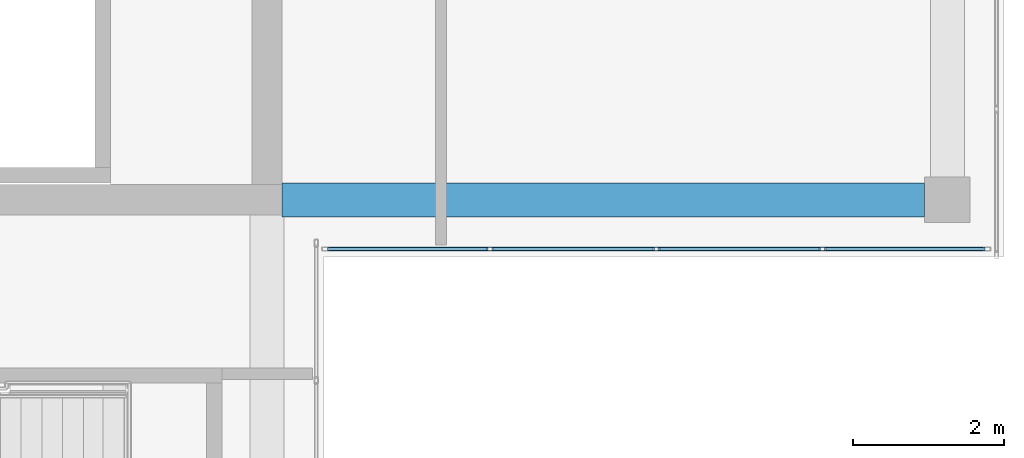
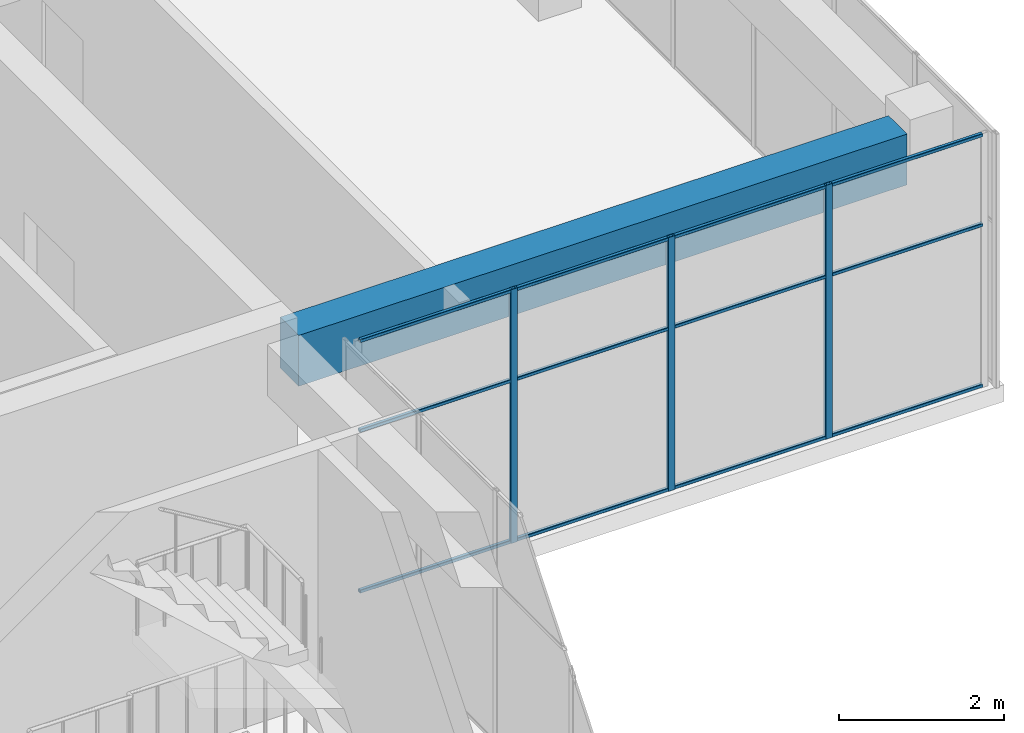
# One storey, part 16 of 35: 15 members, 1 beam, 1 element without a shape of its own.
"""IFC4 building model written with IfcOpenShell, lengths in metres."""

from ifc_helpers import new_model, si_unit, direction, frame, origin, origin_2d, place, context, subcontext, project, spatial, rectangle, hollow_rectangle, extrude, material, layer, layer_set, material_profile, profile_set, type_object, element, aggregate, save


model = new_model("IFC4")

# Units and contexts
model_context = context("Model", 3, precision=1e-05, world=origin(), true_north=direction((0.0, 1.0)))
body_context = subcontext(model_context, "Body", "Model", "MODEL_VIEW")
ifc_project = project(units=[si_unit("LENGTHUNIT", "METRE"), si_unit("AREAUNIT", "SQUARE_METRE"), si_unit("VOLUMEUNIT", "CUBIC_METRE"), si_unit("PLANEANGLEUNIT", "RADIAN"), si_unit("MASSUNIT", "GRAM", prefix="KILO")], contexts=[model_context])

# Site, building, storey
site_placement = place(None, origin())
site = spatial("IfcSite", under=ifc_project, at=site_placement, CompositionType="ELEMENT")
building_placement = place(site_placement, origin())
building = spatial("IfcBuilding", under=site, at=building_placement, Name="Tuart Plaza Theatre", CompositionType="ELEMENT")
storey_placement = place(building_placement, frame((0.0, 0.0, 45.5)))
storey = spatial("IfcBuildingStorey", under=building, at=storey_placement, Name="L11", CompositionType="ELEMENT", Elevation=45.5)

# Beam
ifc_material_1 = material(Name="Concrete N40 (40 MPa)", Category="concrete")
ifc_material_profile_1 = material_profile(ifc_material_1, rectangle(XDim=0.449951171875, YDim=0.75, at=origin_2d()), Name="BEAM 450x750 Concrete N40 (40 MPa)")
ifc_profile_set_1 = profile_set([ifc_material_profile_1], Name="Concrete N40 (40 MPa)")
beam_type = type_object("IfcBeamType", Name="BEAM 450x750 Concrete N40 (40 MPa)", PredefinedType="BEAM", material=ifc_profile_set_1)
beam_placement = place(storey_placement, frame((141.199951171875, 65.0, 3.375), z_axis=(1.0, 0.0, 0.0), x_axis=(0.0, 1.0, 0.0)))
element("IfcBeam", 1, at=beam_placement, inside=storey, type_object=beam_type, Name="RB306", PredefinedType="BEAM", context=body_context, shape_type="SweptSolid", body=[
    extrude(rectangle(XDim=0.449951171875, YDim=0.75, at=origin_2d()), origin(), (0.0, 0.0, 1.0), 8.5),
])

# Curtain wall, members
ifc_material_2 = material(Name="Aluminium and glass", Category="aluminium")
ifc_layer = layer(ifc_material_2, 0.10009765625)
ifc_layer_set = layer_set([ifc_layer], Name="CURTAIN WALL 2000 module")
curtain_wall_type = type_object("IfcCurtainWallType", Name="CURTAIN WALL 2000 module", PredefinedType="NOTDEFINED", material=ifc_layer_set)
curtain_wall_placement = place(storey_placement, origin())
curtain_wall = element("IfcCurtainWall", 2, at=curtain_wall_placement, inside=storey, type_object=curtain_wall_type, Name="CW101", PredefinedType="NOTDEFINED")
ifc_material_3 = material(Name="Aluminium 6063-T5", Category="aluminium")
ifc_material_profile_2 = material_profile(ifc_material_3, hollow_rectangle(XDim=0.050048828125, YDim=0.10009765625, WallThickness=0.00390625, InnerFilletRadius=0.00390625, OuterFilletRadius=0.008056640625, at=origin_2d()), Name="RHS 100x50x4")
ifc_profile_set_2 = profile_set([ifc_material_profile_2], Name="Aluminium 6063-T5")
member_type_1 = type_object("IfcMemberType", Name="MULLION RHS 100x50x4", PredefinedType="MULLION", material=ifc_profile_set_2)
member_1_placement = place(storey_placement, frame((143.949951171875, 64.35009765625, 0.0), z_axis=(0.0, 0.0, 1.0), x_axis=(0.0, 1.0, 0.0)))
member_1 = element("IfcMember", 3, at=member_1_placement, type_object=member_type_1, Name="CW101 mullion 2", PredefinedType="MULLION", context=body_context, shape_type="SweptSolid", body=[
    extrude(hollow_rectangle(XDim=0.050048828125, YDim=0.10009765625, WallThickness=0.00390625, InnerFilletRadius=0.00390625, OuterFilletRadius=0.008056640625, at=origin_2d()), origin(), (0.0, 0.0, 1.0), 3.75),
])
member_2_placement = place(storey_placement, frame((146.14990234375, 64.35009765625, 0.0), z_axis=(0.0, 0.0, 1.0), x_axis=(0.0, 1.0, 0.0)))
member_2 = element("IfcMember", 4, at=member_2_placement, type_object=member_type_1, Name="CW101 mullion 3", PredefinedType="MULLION", context=body_context, shape_type="SweptSolid", body=[
    extrude(hollow_rectangle(XDim=0.050048828125, YDim=0.10009765625, WallThickness=0.00390625, InnerFilletRadius=0.00390625, OuterFilletRadius=0.008056640625, at=origin_2d()), origin(), (0.0, 0.0, 1.0), 3.75),
])
member_3_placement = place(storey_placement, frame((148.35009765625, 64.35009765625, 0.0), z_axis=(0.0, 0.0, 1.0), x_axis=(0.0, 1.0, 0.0)))
member_3 = element("IfcMember", 5, at=member_3_placement, type_object=member_type_1, Name="CW101 mullion 4", PredefinedType="MULLION", context=body_context, shape_type="SweptSolid", body=[
    extrude(hollow_rectangle(XDim=0.050048828125, YDim=0.10009765625, WallThickness=0.00390625, InnerFilletRadius=0.00390625, OuterFilletRadius=0.008056640625, at=origin_2d()), origin(), (0.0, 0.0, 1.0), 3.75),
])
ifc_material_4 = material(Name="Aluminium 6063-T5", Category="aluminium")
ifc_material_profile_3 = material_profile(ifc_material_4, hollow_rectangle(XDim=0.050048828125, YDim=0.050048828125, WallThickness=0.00390625, InnerFilletRadius=0.00390625, OuterFilletRadius=0.008056640625, at=origin_2d()), Name="RHS 50x50x4")
ifc_profile_set_3 = profile_set([ifc_material_profile_3], Name="Aluminium 6063-T5")
member_type_2 = type_object("IfcMemberType", Name="TRANSOM RHS 50x50x4", PredefinedType="USERDEFINED", material=ifc_profile_set_3)
member_4_placement = place(storey_placement, frame((141.800048828125, 64.35009765625, 0.02490234375), z_axis=(1.0, 0.0, 0.0), x_axis=(0.0, 1.0, 0.0)))
member_4 = element("IfcMember", 6, at=member_4_placement, type_object=member_type_2, Name="CW101 transom 1.1", ObjectType="TRANSOM", PredefinedType="USERDEFINED", context=body_context, shape_type="SweptSolid", body=[
    extrude(hollow_rectangle(XDim=0.050048828125, YDim=0.050048828125, WallThickness=0.00390625, InnerFilletRadius=0.00390625, OuterFilletRadius=0.008056640625, at=origin_2d()), origin(), (0.0, 0.0, 1.0), 2.125),
])
member_5_placement = place(storey_placement, frame((141.800048828125, 64.35009765625, 2.39990234375), z_axis=(1.0, 0.0, 0.0), x_axis=(0.0, 1.0, 0.0)))
member_5 = element("IfcMember", 7, at=member_5_placement, type_object=member_type_2, Name="CW101 transom 1.2", ObjectType="TRANSOM", PredefinedType="USERDEFINED", context=body_context, shape_type="SweptSolid", body=[
    extrude(hollow_rectangle(XDim=0.050048828125, YDim=0.050048828125, WallThickness=0.00390625, InnerFilletRadius=0.00390625, OuterFilletRadius=0.008056640625, at=origin_2d()), origin(), (0.0, 0.0, 1.0), 2.125),
])
member_6_placement = place(storey_placement, frame((141.800048828125, 64.35009765625, 3.72509765625), z_axis=(1.0, 0.0, 0.0), x_axis=(0.0, 1.0, 0.0)))
member_6 = element("IfcMember", 8, at=member_6_placement, type_object=member_type_2, Name="CW101 transom 1.3", ObjectType="TRANSOM", PredefinedType="USERDEFINED", context=body_context, shape_type="SweptSolid", body=[
    extrude(hollow_rectangle(XDim=0.050048828125, YDim=0.050048828125, WallThickness=0.00390625, InnerFilletRadius=0.00390625, OuterFilletRadius=0.008056640625, at=origin_2d()), origin(), (0.0, 0.0, 1.0), 2.125),
])
member_7_placement = place(storey_placement, frame((143.97509765625, 64.35009765625, 0.02490234375), z_axis=(1.0, 0.0, 0.0), x_axis=(0.0, 1.0, 0.0)))
member_7 = element("IfcMember", 9, at=member_7_placement, type_object=member_type_2, Name="CW101 transom 2.1", ObjectType="TRANSOM", PredefinedType="USERDEFINED", context=body_context, shape_type="SweptSolid", body=[
    extrude(hollow_rectangle(XDim=0.050048828125, YDim=0.050048828125, WallThickness=0.00390625, InnerFilletRadius=0.00390625, OuterFilletRadius=0.008056640625, at=origin_2d()), origin(), (0.0, 0.0, 1.0), 2.14990234375),
])
member_8_placement = place(storey_placement, frame((143.97509765625, 64.35009765625, 2.39990234375), z_axis=(1.0, 0.0, 0.0), x_axis=(0.0, 1.0, 0.0)))
member_8 = element("IfcMember", 10, at=member_8_placement, type_object=member_type_2, Name="CW101 transom 2.2", ObjectType="TRANSOM", PredefinedType="USERDEFINED", context=body_context, shape_type="SweptSolid", body=[
    extrude(hollow_rectangle(XDim=0.050048828125, YDim=0.050048828125, WallThickness=0.00390625, InnerFilletRadius=0.00390625, OuterFilletRadius=0.008056640625, at=origin_2d()), origin(), (0.0, 0.0, 1.0), 2.14990234375),
])
member_9_placement = place(storey_placement, frame((143.97509765625, 64.35009765625, 3.72509765625), z_axis=(1.0, 0.0, 0.0), x_axis=(0.0, 1.0, 0.0)))
member_9 = element("IfcMember", 11, at=member_9_placement, type_object=member_type_2, Name="CW101 transom 2.3", ObjectType="TRANSOM", PredefinedType="USERDEFINED", context=body_context, shape_type="SweptSolid", body=[
    extrude(hollow_rectangle(XDim=0.050048828125, YDim=0.050048828125, WallThickness=0.00390625, InnerFilletRadius=0.00390625, OuterFilletRadius=0.008056640625, at=origin_2d()), origin(), (0.0, 0.0, 1.0), 2.14990234375),
])
member_10_placement = place(storey_placement, frame((146.175048828125, 64.35009765625, 0.02490234375), z_axis=(1.0, 0.0, 0.0), x_axis=(0.0, 1.0, 0.0)))
member_10 = element("IfcMember", 12, at=member_10_placement, type_object=member_type_2, Name="CW101 transom 3.1", ObjectType="TRANSOM", PredefinedType="USERDEFINED", context=body_context, shape_type="SweptSolid", body=[
    extrude(hollow_rectangle(XDim=0.050048828125, YDim=0.050048828125, WallThickness=0.00390625, InnerFilletRadius=0.00390625, OuterFilletRadius=0.008056640625, at=origin_2d()), origin(), (0.0, 0.0, 1.0), 2.14990234375),
])
member_11_placement = place(storey_placement, frame((146.175048828125, 64.35009765625, 2.39990234375), z_axis=(1.0, 0.0, 0.0), x_axis=(0.0, 1.0, 0.0)))
member_11 = element("IfcMember", 13, at=member_11_placement, type_object=member_type_2, Name="CW101 transom 3.2", ObjectType="TRANSOM", PredefinedType="USERDEFINED", context=body_context, shape_type="SweptSolid", body=[
    extrude(hollow_rectangle(XDim=0.050048828125, YDim=0.050048828125, WallThickness=0.00390625, InnerFilletRadius=0.00390625, OuterFilletRadius=0.008056640625, at=origin_2d()), origin(), (0.0, 0.0, 1.0), 2.14990234375),
])
member_12_placement = place(storey_placement, frame((146.175048828125, 64.35009765625, 3.72509765625), z_axis=(1.0, 0.0, 0.0), x_axis=(0.0, 1.0, 0.0)))
member_12 = element("IfcMember", 14, at=member_12_placement, type_object=member_type_2, Name="CW101 transom 3.3", ObjectType="TRANSOM", PredefinedType="USERDEFINED", context=body_context, shape_type="SweptSolid", body=[
    extrude(hollow_rectangle(XDim=0.050048828125, YDim=0.050048828125, WallThickness=0.00390625, InnerFilletRadius=0.00390625, OuterFilletRadius=0.008056640625, at=origin_2d()), origin(), (0.0, 0.0, 1.0), 2.14990234375),
])
member_13_placement = place(storey_placement, frame((148.375, 64.35009765625, 0.02490234375), z_axis=(1.0, 0.0, 0.0), x_axis=(0.0, 1.0, 0.0)))
member_13 = element("IfcMember", 15, at=member_13_placement, type_object=member_type_2, Name="CW101 transom 4.1", ObjectType="TRANSOM", PredefinedType="USERDEFINED", context=body_context, shape_type="SweptSolid", body=[
    extrude(hollow_rectangle(XDim=0.050048828125, YDim=0.050048828125, WallThickness=0.00390625, InnerFilletRadius=0.00390625, OuterFilletRadius=0.008056640625, at=origin_2d()), origin(), (0.0, 0.0, 1.0), 2.125),
])
member_14_placement = place(storey_placement, frame((148.375, 64.35009765625, 2.39990234375), z_axis=(1.0, 0.0, 0.0), x_axis=(0.0, 1.0, 0.0)))
member_14 = element("IfcMember", 16, at=member_14_placement, type_object=member_type_2, Name="CW101 transom 4.2", ObjectType="TRANSOM", PredefinedType="USERDEFINED", context=body_context, shape_type="SweptSolid", body=[
    extrude(hollow_rectangle(XDim=0.050048828125, YDim=0.050048828125, WallThickness=0.00390625, InnerFilletRadius=0.00390625, OuterFilletRadius=0.008056640625, at=origin_2d()), origin(), (0.0, 0.0, 1.0), 2.125),
])
member_15_placement = place(storey_placement, frame((148.375, 64.35009765625, 3.72509765625), z_axis=(1.0, 0.0, 0.0), x_axis=(0.0, 1.0, 0.0)))
member_15 = element("IfcMember", 17, at=member_15_placement, type_object=member_type_2, Name="CW101 transom 4.3", ObjectType="TRANSOM", PredefinedType="USERDEFINED", context=body_context, shape_type="SweptSolid", body=[
    extrude(hollow_rectangle(XDim=0.050048828125, YDim=0.050048828125, WallThickness=0.00390625, InnerFilletRadius=0.00390625, OuterFilletRadius=0.008056640625, at=origin_2d()), origin(), (0.0, 0.0, 1.0), 2.125),
])
aggregate(curtain_wall, [member_1, member_2, member_3, member_4, member_5, member_6, member_7, member_8, member_9, member_10, member_11, member_12, member_13, member_14, member_15])

save(model, "model.ifc")
